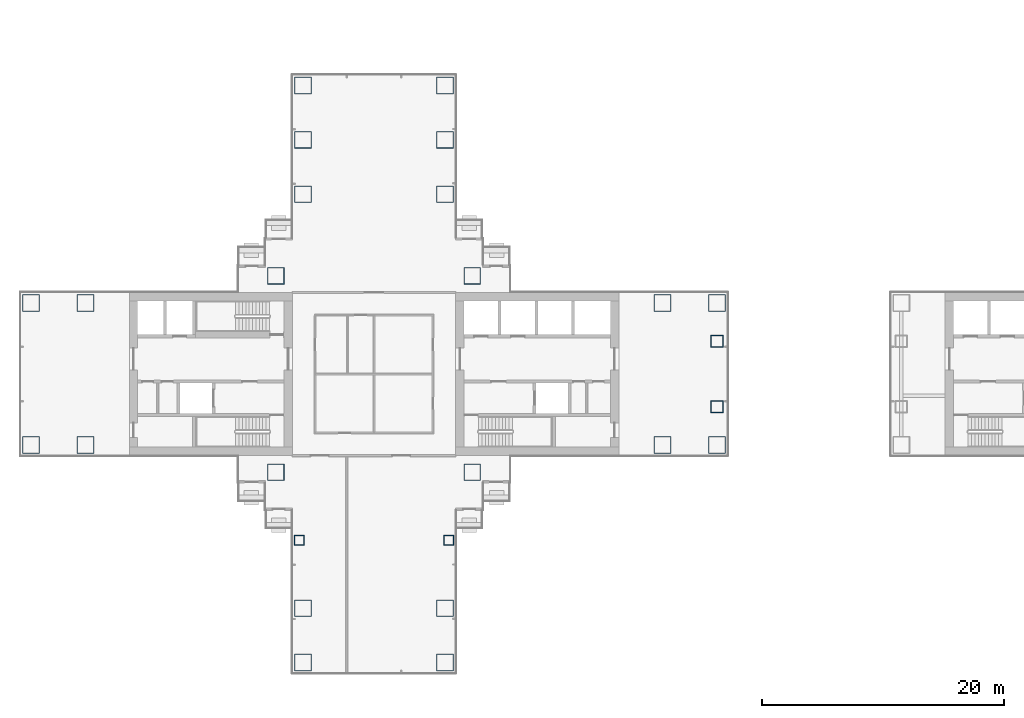
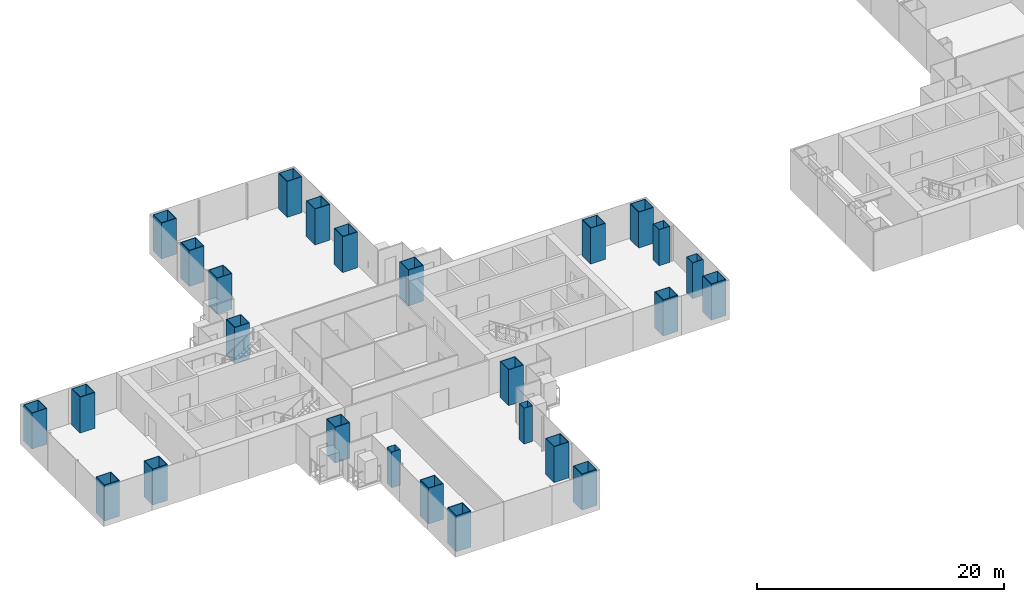
# One storey, part 1 of 21: 26 columns.
"""IFC4 building model written with IfcOpenShell, lengths in metres."""

import ifcopenshell
import ifcopenshell.guid

model = None  # the IFC model being written
_history = None  # IfcOwnerHistory: only IFC2X3 demands one
_inside = {}  # id of a spatial element -> (the spatial element, [elements in it])
_under = {}  # id of a project, library or spatial element -> (it, [spatial elements below it])
_declared = {}  # id of a project -> (the project, [libraries it declares])
_typed = {}  # id of a type object -> (the type object, [elements of that type])
_made_of = {}  # id of a material, layer set ... -> (it, [elements and type objects made of it])


def new_model(schema):
    """Start an empty IFC model of exactly this schema.

    Asked for "IFC4X3", IfcOpenShell would pick the latest addendum, in which some entities
    have other attributes; the version numbers below select the first issue.
    IFC2X3 requires an IfcOwnerHistory on every rooted entity: one is made here for all.
    """
    global model, _history
    if schema == "IFC4X3":
        model = ifcopenshell.file(schema_version=(4, 3, 0, 0))
    else:
        model = ifcopenshell.file(schema=schema)
    _inside.clear()
    _under.clear()
    _declared.clear()
    _typed.clear()
    _made_of.clear()
    _history = None
    if model.schema == "IFC2X3":
        org = make("IfcOrganization", Name="unknown")
        user = make(
            "IfcPersonAndOrganization",
            ThePerson=make("IfcPerson", FamilyName="unknown"),
            TheOrganization=org,
        )
        app = make(
            "IfcApplication",
            ApplicationDeveloper=org,
            Version="unknown",
            ApplicationFullName="unknown",
            ApplicationIdentifier="unknown",
        )
        _history = make(
            "IfcOwnerHistory",
            OwningUser=user,
            OwningApplication=app,
            ChangeAction="ADDED",
            CreationDate=0,
        )
    return model


def make(cls, **values):
    """One entity of the class cls with the attributes given. An attribute that is None is left unset."""
    return model.create_entity(
        cls, **{name: value for name, value in values.items() if value is not None}
    )


def rooted(cls, **values):
    """An entity with a GlobalId (a new one), such as an element, a storey or a relation."""
    return make(cls, GlobalId=ifcopenshell.guid.new(), OwnerHistory=_history, **values)


def si_unit(unit_type, name, prefix=None):
    """IfcSIUnit, for example si_unit("LENGTHUNIT", "METRE", prefix="MILLI")."""
    return make("IfcSIUnit", UnitType=unit_type, Prefix=prefix, Name=name)


def assignment(units):
    """IfcUnitAssignment: the units of a project."""
    return None if units is None else make("IfcUnitAssignment", Units=units)


def point(xyz):
    """IfcCartesianPoint."""
    return None if xyz is None else make("IfcCartesianPoint", Coordinates=xyz)


def direction(xyz):
    """IfcDirection."""
    return None if xyz is None else make("IfcDirection", DirectionRatios=xyz)


def frame(location, z_axis=None, x_axis=None):
    """IfcAxis2Placement3D, a coordinate frame: its origin and axes. An axis left out is left unset."""
    return make(
        "IfcAxis2Placement3D",
        Location=point(location),
        Axis=direction(z_axis),
        RefDirection=direction(x_axis),
    )


def frame_2d(location, x_axis=None):
    """IfcAxis2Placement2D, a coordinate frame in the plane: its origin and x axis."""
    return make(
        "IfcAxis2Placement2D", Location=point(location), RefDirection=direction(x_axis)
    )


def origin():
    """The frame at (0, 0, 0) with its axes left unset."""
    return frame((0.0, 0.0, 0.0))


def origin_2d():
    """The frame at (0, 0) in the plane with its x axis left unset."""
    return frame_2d((0.0, 0.0))


def place(relative_to, where):
    """IfcLocalPlacement: puts the frame where relative to a parent placement (None: the world)."""
    return make(
        "IfcLocalPlacement", PlacementRelTo=relative_to, RelativePlacement=where
    )


def context(
    kind, dimensions, precision=None, world=None, true_north=None, identifier=None
):
    """IfcGeometricRepresentationContext, for example the 3D "Model" context."""
    return make(
        "IfcGeometricRepresentationContext",
        ContextIdentifier=identifier,
        ContextType=kind,
        CoordinateSpaceDimension=dimensions,
        Precision=precision,
        WorldCoordinateSystem=world,
        TrueNorth=true_north,
    )


def subcontext(parent, identifier, kind, view, scale=None):
    """IfcGeometricRepresentationSubContext, for example "Body" below "Model"."""
    return make(
        "IfcGeometricRepresentationSubContext",
        ContextIdentifier=identifier,
        ContextType=kind,
        ParentContext=parent,
        TargetScale=scale,
        TargetView=view,
    )


def project(units=None, contexts=None):
    """IfcProject with its units and contexts."""
    return rooted(
        "IfcProject",
        Name="project",
        RepresentationContexts=contexts,
        UnitsInContext=assignment(units),
    )


def spatial(cls, under=None, at=None, **own):
    """A site, building, storey or space (cls), placed at a placement, below another one or the project."""
    s = rooted(cls, ObjectPlacement=at, **own)
    if under is not None:
        _under.setdefault(under.id(), (under, []))[1].append(s)
    return s


def profile(cls, at=None, kind="AREA", **sizes):
    """A parametric profile (cls). Its sizes go by their IFC names, for example OverallWidth=200.0."""
    return make(cls, ProfileType=kind, Position=at, **sizes)


def hollow_rectangle(**sizes):
    """IfcRectangleHollowProfileDef."""
    return profile("IfcRectangleHollowProfileDef", **sizes)


def extrude(swept, where, along, depth):
    """IfcExtrudedAreaSolid: the profile swept, set in the frame where, extruded along a direction by depth."""
    return make(
        "IfcExtrudedAreaSolid",
        SweptArea=swept,
        Position=where,
        ExtrudedDirection=direction(along),
        Depth=depth,
    )


def shape(context_of_items, identifier, shape_type, items):
    """IfcShapeRepresentation: the items that make up one representation, for example the "Body"."""
    return make(
        "IfcShapeRepresentation",
        ContextOfItems=context_of_items,
        RepresentationIdentifier=identifier,
        RepresentationType=shape_type,
        Items=items,
    )


def material(Name=None, Category=None):
    """IfcMaterial."""
    return make("IfcMaterial", Name=Name, Category=Category)


def material_profile(
    of_material, cross_section, Name=None, Category=None, Priority=None
):
    """IfcMaterialProfile: a cross section and its material."""
    return make(
        "IfcMaterialProfile",
        Name=Name,
        Material=of_material,
        Profile=cross_section,
        Priority=Priority,
        Category=Category,
    )


def profile_set(profiles, Name=None, composite=None):
    """IfcMaterialProfileSet."""
    return make(
        "IfcMaterialProfileSet",
        Name=Name,
        MaterialProfiles=profiles,
        CompositeProfile=composite,
    )


def made_of(thing, what):
    """Note that an element or type object is made of a material, layer set ...; save() writes the relation."""
    if what is not None:
        _made_of.setdefault(what.id(), (what, []))[1].append(thing)
    return thing


def type_object(cls, material=None, **own):
    """A type object (cls), such as IfcWallType, which elements share."""
    return made_of(rooted(cls, **own), material)


def element(
    cls,
    number,
    at=None,
    inside=None,
    cuts=None,
    type_object=None,
    material=None,
    context=None,
    identifier="Body",
    shape_type=None,
    held_by="IfcProductDefinitionShape",
    body=None,
    shapes=None,
    **own,
):
    """One element of the class cls, such as IfcWall. Its Tag is "e" and its number.

    at: its placement. inside: the storey or other place that contains it. cuts: it is an
    opening in that element (IfcRelVoidsElement). A single representation is given by context,
    identifier, shape_type and body (its items); several are given by shapes. held_by: the class
    of the entity that holds the representations. save() writes the other relations.
    """
    e = rooted(cls, Tag="e%d" % number, ObjectPlacement=at, **own)
    if body is not None:
        shapes = [shape(context, identifier, shape_type, body)]
    if shapes is not None:
        e.Representation = make(held_by, Representations=shapes)
    if inside is not None:
        _inside.setdefault(inside.id(), (inside, []))[1].append(e)
    if cuts is not None:
        rooted(
            "IfcRelVoidsElement", RelatingBuildingElement=cuts, RelatedOpeningElement=e
        )
    if type_object is not None:
        _typed.setdefault(type_object.id(), (type_object, []))[1].append(e)
    return made_of(e, material)


def aggregate(whole, parts):
    """IfcRelAggregates: a whole, such as a stair, and the parts it consists of."""
    return rooted("IfcRelAggregates", RelatingObject=whole, RelatedObjects=parts)


def save(model, path):
    """Write the relations noted so far, then the file.

    IfcRelAggregates (storeys below a building ...), IfcRelContainedInSpatialStructure (elements
    in a storey), IfcRelDefinesByType, IfcRelAssociatesMaterial and IfcRelDeclares: one each for
    every whole, place, type object, material and project.
    """
    for whole, parts in _under.values():
        aggregate(whole, parts)
    for where, things in _inside.values():
        rooted(
            "IfcRelContainedInSpatialStructure",
            RelatedElements=things,
            RelatingStructure=where,
        )
    for kind, things in _typed.values():
        rooted("IfcRelDefinesByType", RelatedObjects=things, RelatingType=kind)
    for what, things in _made_of.values():
        rooted("IfcRelAssociatesMaterial", RelatedObjects=things, RelatingMaterial=what)
    for by, libraries in _declared.values():
        rooted("IfcRelDeclares", RelatingContext=by, RelatedDefinitions=libraries)
    model.write(path)


model = new_model("IFC4")

# Units and contexts
model_context = context("Model", 3, precision=1e-05, world=origin(), true_north=direction((0.0, 1.0)))
body_context = subcontext(model_context, "Body", "Model", "MODEL_VIEW")
ifc_project = project(units=[si_unit("LENGTHUNIT", "METRE"), si_unit("AREAUNIT", "SQUARE_METRE"), si_unit("VOLUMEUNIT", "CUBIC_METRE"), si_unit("PLANEANGLEUNIT", "RADIAN"), si_unit("MASSUNIT", "GRAM", prefix="KILO")], contexts=[model_context])

# Site, building, storey
site_placement = place(None, origin())
site = spatial("IfcSite", under=ifc_project, at=site_placement, CompositionType="ELEMENT")
building_placement = place(site_placement, origin())
building = spatial("IfcBuilding", under=site, at=building_placement, Name="Shamsa Quay Exchange Towers", CompositionType="ELEMENT")
storey_placement = place(building_placement, frame((0.0, 0.0, 65.39990234375)))
storey = spatial("IfcBuildingStorey", under=building, at=storey_placement, Name="L14", CompositionType="ELEMENT", Elevation=65.39990234375)

# Columns
ifc_material_1 = material(Name="Concrete-filled steel tube S355 / C80/95", Category="concrete")
ifc_material_profile_1 = material_profile(ifc_material_1, hollow_rectangle(XDim=1.39990234375, YDim=1.39990234375, WallThickness=0.050048828125, at=origin_2d()), Name="CFT 1400x1400x50")
ifc_profile_set_1 = profile_set([ifc_material_profile_1], Name="Concrete-filled steel tube S355 / C80/95")
column_type_1 = type_object("IfcColumnType", Name="Column CFT 1400x1400x50", PredefinedType="COLUMN", material=ifc_profile_set_1)
for number, where, name in (
    (1, (-25.625, 8.125, 0.0), "Mega column T1-CM01"),
    (2, (-25.625, -8.125, 0.0), "Mega column T1-CM02"),
    (3, (-41.875, 8.125, 0.0), "Mega column T1-CM03"),
    (4, (-41.875, -8.125, 0.0), "Mega column T1-CM04"),
    (5, (-9.875, -5.875, 0.0), "Mega column T1-CM05"),
    (6, (-5.375, -5.875, 0.0), "Mega column T1-CM06"),
    (7, (-9.875, 5.875, 0.0), "Mega column T1-CM07"),
    (8, (-5.375, 5.875, 0.0), "Mega column T1-CM08"),
    (9, (-57.625, -5.875, 0.0), "Mega column T1-CM09"),
    (10, (-62.125, -5.875, 0.0), "Mega column T1-CM10"),
    (11, (-57.625, 5.875, 0.0), "Mega column T1-CM11"),
    (12, (-62.125, 5.875, 0.0), "Mega column T1-CM12"),
    (13, (-39.625, 14.875, 0.0), "Mega column T1-CM13"),
    (14, (-39.625, 19.375, 0.0), "Mega column T1-CM14"),
    (15, (-39.625, 23.875, 0.0), "Mega column T1-CM15"),
    (16, (-27.875, 14.875, 0.0), "Mega column T1-CM16"),
    (17, (-27.875, 19.375, 0.0), "Mega column T1-CM17"),
    (18, (-27.875, 23.875, 0.0), "Mega column T1-CM18"),
    (19, (-39.625, -19.375, 0.0), "Mega column T1-CM20"),
    (20, (-39.625, -23.875, 0.0), "Mega column T1-CM21"),
    (21, (-27.875, -19.375, 0.0), "Mega column T1-CM23"),
    (22, (-27.875, -23.875, 0.0), "Mega column T1-CM24"),
):
    element("IfcColumn", number, at=place(storey_placement, frame(where)), inside=storey, type_object=column_type_1, Name=name, PredefinedType="COLUMN", context=body_context, shape_type="SweptSolid", body=[
        extrude(hollow_rectangle(XDim=1.39990234375, YDim=1.39990234375, WallThickness=0.050048828125, at=origin_2d()), origin(), (0.0, 0.0, 1.0), 3.550048828125),
    ])
ifc_material_2 = material(Name="Concrete-filled steel tube S355 / C60/75", Category="concrete")
ifc_material_profile_2 = material_profile(ifc_material_2, hollow_rectangle(XDim=0.800048828125, YDim=0.800048828125, WallThickness=0.02490234375, at=origin_2d()), Name="CFT 800x800x25")
ifc_profile_set_2 = profile_set([ifc_material_profile_2], Name="Concrete-filled steel tube S355 / C60/75")
column_type_2 = type_object("IfcColumnType", Name="Column CFT 800x800x25", PredefinedType="COLUMN", material=ifc_profile_set_2)
for number, where, name in (
    (23, (-39.9375, -13.75, 0.0), "Perimeter column T1-CP19"),
    (24, (-27.5625, -13.75, 0.0), "Perimeter column T1-CP22"),
):
    element("IfcColumn", number, at=place(storey_placement, frame(where)), inside=storey, type_object=column_type_2, Name=name, PredefinedType="COLUMN", context=body_context, shape_type="SweptSolid", body=[
        extrude(hollow_rectangle(XDim=0.800048828125, YDim=0.800048828125, WallThickness=0.02490234375, at=origin_2d()), origin(), (0.0, 0.0, 1.0), 3.550048828125),
    ])
ifc_material_3 = material(Name="Concrete-filled steel tube S355 / C70/85", Category="concrete")
ifc_material_profile_3 = material_profile(ifc_material_3, hollow_rectangle(XDim=1.0, YDim=1.0, WallThickness=0.0400390625, at=origin_2d()), Name="CFT 1000x1000x40")
ifc_profile_set_3 = profile_set([ifc_material_profile_3], Name="Concrete-filled steel tube S355 / C70/85")
column_type_3 = type_object("IfcColumnType", Name="Landing column CFT 1000x1000x40", PredefinedType="COLUMN", material=ifc_profile_set_3)
for number, where, name in (
    (25, (-5.375, -2.699951171875, 0.0), "Landing column T1 S"),
    (26, (-5.375, 2.699951171875, 0.0), "Landing column T1 N"),
):
    element("IfcColumn", number, at=place(storey_placement, frame(where)), inside=storey, type_object=column_type_3, Name=name, PredefinedType="COLUMN", context=body_context, shape_type="SweptSolid", body=[
        extrude(hollow_rectangle(XDim=1.0, YDim=1.0, WallThickness=0.0400390625, at=origin_2d()), origin(), (0.0, 0.0, 1.0), 3.550048828125),
    ])

save(model, "model.ifc")
